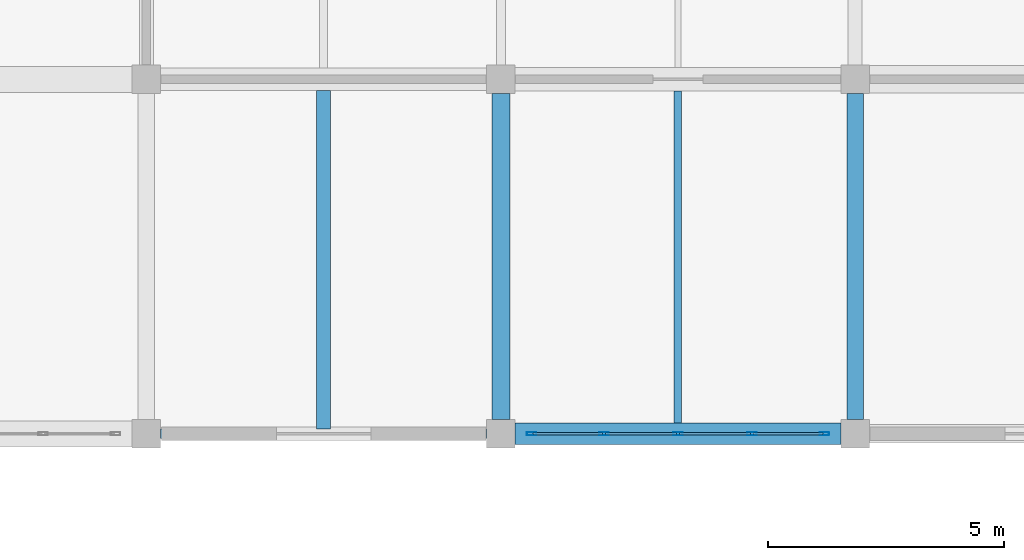
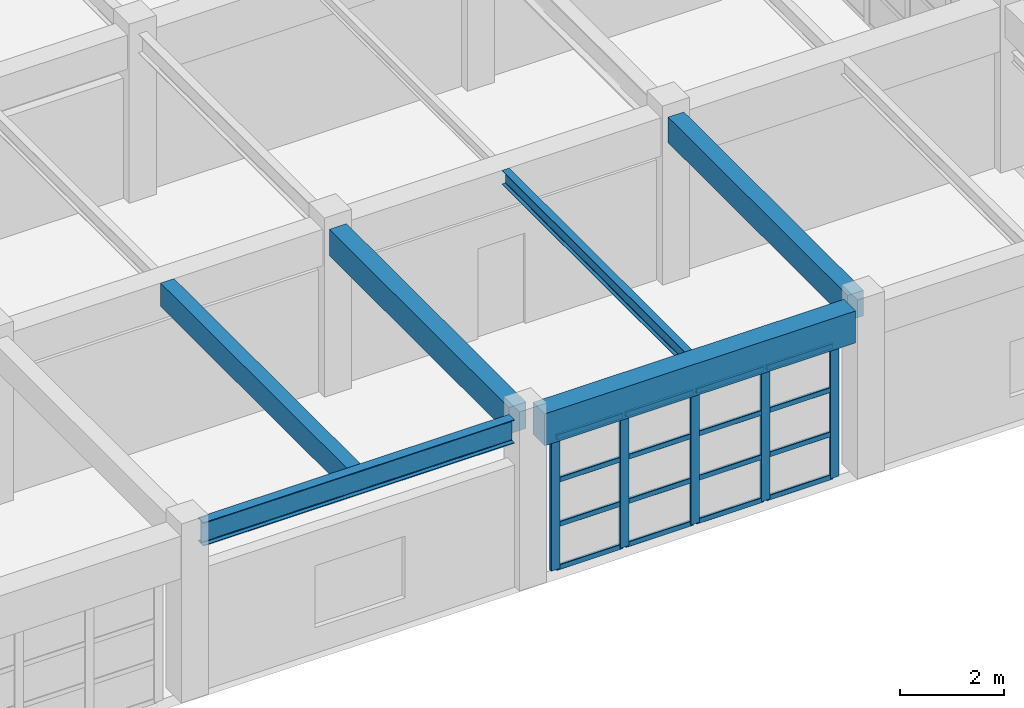
# One storey, part 42 of 124: 21 members, 6 beams, 1 element without a shape of its own.
"""IFC4 building model written with IfcOpenShell, lengths in metres."""

from ifc_helpers import new_model, si_unit, direction, frame, origin, origin_2d, place, context, subcontext, project, spatial, rectangle, hollow_rectangle, i_section, extrude, material, material_profile, profile_set, type_object, element, aggregate, save


model = new_model("IFC4")

# Units and contexts
model_context = context("Model", 3, precision=1e-05, world=origin(), true_north=direction((0.0, 1.0)))
body_context = subcontext(model_context, "Body", "Model", "MODEL_VIEW")
ifc_project = project(units=[si_unit("LENGTHUNIT", "METRE"), si_unit("AREAUNIT", "SQUARE_METRE"), si_unit("VOLUMEUNIT", "CUBIC_METRE"), si_unit("PLANEANGLEUNIT", "RADIAN"), si_unit("MASSUNIT", "GRAM", prefix="KILO")], contexts=[model_context])

# Site, building, storey
site_placement = place(None, origin())
site = spatial("IfcSite", under=ifc_project, at=site_placement, CompositionType="ELEMENT")
building_placement = place(site_placement, origin())
building = spatial("IfcBuilding", under=site, at=building_placement, Name="Qasida Concert Hall", CompositionType="ELEMENT")
storey_placement = place(building_placement, frame((0.0, 0.0, 9.0)))
storey = spatial("IfcBuildingStorey", under=building, at=storey_placement, Name="L02", CompositionType="ELEMENT", Elevation=9.0)

# Beams
ifc_material_1 = material(Name="Concrete C40/50", Category="concrete")
ifc_material_profile_1 = material_profile(ifc_material_1, rectangle(XDim=0.3798828125, YDim=0.6201171875, at=origin_2d()), Name="RC 380x620")
ifc_profile_set_1 = profile_set([ifc_material_profile_1], Name="Concrete C40/50")
beam_type_1 = type_object("IfcBeamType", Name="BM-B10", PredefinedType="BEAM", material=ifc_profile_set_1)
beam_1_placement = place(storey_placement, frame((22.5, 75.300048828125, 3.590087890625), z_axis=(0.0, 1.0, 0.0), x_axis=(-1.0, 0.0, 0.0)))
element("IfcBeam", 1, at=beam_1_placement, inside=storey, type_object=beam_type_1, Name="L02 girder 1472", PredefinedType="BEAM", context=body_context, shape_type="SweptSolid", body=[
    extrude(rectangle(XDim=0.3798828125, YDim=0.6201171875, at=origin_2d()), origin(), (0.0, 0.0, 1.0), 6.89990234375),
])
ifc_material_profile_2 = material_profile(ifc_material_1, rectangle(XDim=0.35009765625, YDim=0.60009765625, at=origin_2d()), Name="RC 350x600")
ifc_profile_set_2 = profile_set([ifc_material_profile_2], Name="Concrete C40/50")
beam_type_2 = type_object("IfcBeamType", Name="BM-B2", PredefinedType="BEAM", material=ifc_profile_set_2)
beam_2_placement = place(storey_placement, frame((30.0, 75.300048828125, 3.60009765625), z_axis=(0.0, 1.0, 0.0), x_axis=(-1.0, 0.0, 0.0)))
element("IfcBeam", 2, at=beam_2_placement, inside=storey, type_object=beam_type_2, Name="L02 girder 1477", PredefinedType="BEAM", context=body_context, shape_type="SweptSolid", body=[
    extrude(rectangle(XDim=0.35009765625, YDim=0.60009765625, at=origin_2d()), origin(), (0.0, 0.0, 1.0), 6.89990234375),
])
ifc_material_profile_3 = material_profile(ifc_material_1, rectangle(XDim=0.300048828125, YDim=0.550048828125, at=origin_2d()), Name="RC 300x550")
ifc_profile_set_3 = profile_set([ifc_material_profile_3], Name="Concrete C40/50")
beam_type_3 = type_object("IfcBeamType", Name="BM-J1", PredefinedType="JOIST", material=ifc_profile_set_3)
beam_3_placement = place(storey_placement, frame((18.75, 75.10498046875, 3.625), z_axis=(0.0, 1.0, 0.0), x_axis=(-1.0, 0.0, 0.0)))
element("IfcBeam", 3, at=beam_3_placement, inside=storey, type_object=beam_type_3, Name="L02 secondary joist 1496", PredefinedType="JOIST", context=body_context, shape_type="SweptSolid", body=[
    extrude(rectangle(XDim=0.300048828125, YDim=0.550048828125, at=origin_2d()), origin(), (0.0, 0.0, 1.0), 7.155029296875),
])
ifc_material_2 = material(Name="Steel S355J2", Category="steel")
ifc_material_profile_4 = material_profile(ifc_material_2, i_section(OverallWidth=0.159912109375, OverallDepth=0.330078125, WebThickness=0.007568359375, FlangeThickness=0.011474609375, FilletRadius=0.01806640625, at=origin_2d()), Name="IPE 330")
ifc_profile_set_4 = profile_set([ifc_material_profile_4], Name="Steel S355J2")
beam_type_4 = type_object("IfcBeamType", Name="BM-J5", PredefinedType="JOIST", material=ifc_profile_set_4)
beam_4_placement = place(storey_placement, frame((26.25, 75.22509765625, 3.735107421875), z_axis=(0.0, 1.0, 0.0), x_axis=(-1.0, 0.0, 0.0)))
element("IfcBeam", 4, at=beam_4_placement, inside=storey, type_object=beam_type_4, Name="L02 secondary joist 1500", PredefinedType="JOIST", context=body_context, shape_type="SweptSolid", body=[
    extrude(i_section(OverallWidth=0.159912109375, OverallDepth=0.330078125, WebThickness=0.007568359375, FlangeThickness=0.011474609375, FilletRadius=0.01806640625, at=origin_2d()), origin(), (0.0, 0.0, 1.0), 7.02490234375),
])
ifc_material_profile_5 = material_profile(ifc_material_2, i_section(OverallWidth=0.2099609375, OverallDepth=0.550048828125, WebThickness=0.010986328125, FlangeThickness=0.01708984375, FilletRadius=0.02392578125, at=origin_2d()), Name="IPE 550")
ifc_profile_set_5 = profile_set([ifc_material_profile_5], Name="Steel S355J2")
beam_type_5 = type_object("IfcBeamType", Name="BM-SP2", PredefinedType="SPANDREL", material=ifc_profile_set_5)
beam_5_placement = place(storey_placement, frame((15.300048828125, 75.0, 3.625), z_axis=(1.0, 0.0, 0.0), x_axis=(0.0, 1.0, 0.0)))
element("IfcBeam", 5, at=beam_5_placement, inside=storey, type_object=beam_type_5, Name="Primary girder 1439", PredefinedType="SPANDREL", context=body_context, shape_type="SweptSolid", body=[
    extrude(i_section(OverallWidth=0.2099609375, OverallDepth=0.550048828125, WebThickness=0.010986328125, FlangeThickness=0.01708984375, FilletRadius=0.02392578125, at=origin_2d()), origin(), (0.0, 0.0, 1.0), 6.89990234375),
])
ifc_material_profile_6 = material_profile(ifc_material_1, rectangle(XDim=0.449951171875, YDim=0.75, at=origin_2d()), Name="RC 450x750")
ifc_profile_set_6 = profile_set([ifc_material_profile_6], Name="Concrete C40/50")
beam_type_6 = type_object("IfcBeamType", Name="BM-SP4", PredefinedType="SPANDREL", material=ifc_profile_set_6)
beam_6_placement = place(storey_placement, frame((22.800048828125, 75.0, 3.52490234375), z_axis=(1.0, 0.0, 0.0), x_axis=(0.0, 1.0, 0.0)))
element("IfcBeam", 6, at=beam_6_placement, inside=storey, type_object=beam_type_6, Name="Primary girder 1440", PredefinedType="SPANDREL", context=body_context, shape_type="SweptSolid", body=[
    extrude(rectangle(XDim=0.449951171875, YDim=0.75, at=origin_2d()), origin(), (0.0, 0.0, 1.0), 6.89990234375),
])

# Curtain wall, members
ifc_material_3 = material(Name="Architectural bronze-anodized aluminium and low-E glass", Category="aluminium")
curtain_wall_type = type_object("IfcCurtainWallType", Name="CW-08", PredefinedType="NOTDEFINED", material=ifc_material_3)
curtain_wall_placement = place(storey_placement, origin())
curtain_wall = element("IfcCurtainWall", 7, at=curtain_wall_placement, inside=storey, type_object=curtain_wall_type, Name="L02 curtain wall CW-08 0189", PredefinedType="NOTDEFINED")
ifc_material_4 = material(Name="Architectural bronze-anodized aluminium EN AW-6063", Category="aluminium")
ifc_material_profile_7 = material_profile(ifc_material_4, hollow_rectangle(XDim=0.06494140625, YDim=0.199951171875, WallThickness=0.0048828125, InnerFilletRadius=0.0048828125, OuterFilletRadius=0.010009765625, at=origin_2d()), Name="CWM 200x65x5")
ifc_profile_set_7 = profile_set([ifc_material_profile_7], Name="Architectural bronze-anodized aluminium EN AW-6063")
member_type_1 = type_object("IfcMemberType", Name="MB-CWM-2", PredefinedType="MULLION", material=ifc_profile_set_7)
member_1_placement = place(storey_placement, frame((23.152587890625, 75.0, 0.0), z_axis=(0.0, 0.0, 1.0), x_axis=(0.0, 1.0, 0.0)))
member_1 = element("IfcMember", 8, at=member_1_placement, type_object=member_type_1, Name="CW-08 mullion 1", PredefinedType="MULLION", context=body_context, shape_type="SweptSolid", body=[
    extrude(hollow_rectangle(XDim=0.06494140625, YDim=0.199951171875, WallThickness=0.0048828125, InnerFilletRadius=0.0048828125, OuterFilletRadius=0.010009765625, at=origin_2d()), origin(), (0.0, 0.0, 1.0), 3.1201171875),
])
member_2_placement = place(storey_placement, frame((24.68505859375, 75.0, 0.0), z_axis=(0.0, 0.0, 1.0), x_axis=(0.0, 1.0, 0.0)))
member_2 = element("IfcMember", 9, at=member_2_placement, type_object=member_type_1, Name="CW-08 mullion 2", PredefinedType="MULLION", context=body_context, shape_type="SweptSolid", body=[
    extrude(hollow_rectangle(XDim=0.06494140625, YDim=0.199951171875, WallThickness=0.0048828125, InnerFilletRadius=0.0048828125, OuterFilletRadius=0.010009765625, at=origin_2d()), origin(), (0.0, 0.0, 1.0), 3.1201171875),
])
member_3_placement = place(storey_placement, frame((26.25, 75.0, 0.0), z_axis=(0.0, 0.0, 1.0), x_axis=(0.0, 1.0, 0.0)))
member_3 = element("IfcMember", 10, at=member_3_placement, type_object=member_type_1, Name="CW-08 mullion 3", PredefinedType="MULLION", context=body_context, shape_type="SweptSolid", body=[
    extrude(hollow_rectangle(XDim=0.06494140625, YDim=0.199951171875, WallThickness=0.0048828125, InnerFilletRadius=0.0048828125, OuterFilletRadius=0.010009765625, at=origin_2d()), origin(), (0.0, 0.0, 1.0), 3.1201171875),
])
member_4_placement = place(storey_placement, frame((27.81494140625, 75.0, 0.0), z_axis=(0.0, 0.0, 1.0), x_axis=(0.0, 1.0, 0.0)))
member_4 = element("IfcMember", 11, at=member_4_placement, type_object=member_type_1, Name="CW-08 mullion 4", PredefinedType="MULLION", context=body_context, shape_type="SweptSolid", body=[
    extrude(hollow_rectangle(XDim=0.06494140625, YDim=0.199951171875, WallThickness=0.0048828125, InnerFilletRadius=0.0048828125, OuterFilletRadius=0.010009765625, at=origin_2d()), origin(), (0.0, 0.0, 1.0), 3.1201171875),
])
member_5_placement = place(storey_placement, frame((29.347412109375, 75.0, 0.0), z_axis=(0.0, 0.0, 1.0), x_axis=(0.0, 1.0, 0.0)))
member_5 = element("IfcMember", 12, at=member_5_placement, type_object=member_type_1, Name="CW-08 mullion 5", PredefinedType="MULLION", context=body_context, shape_type="SweptSolid", body=[
    extrude(hollow_rectangle(XDim=0.06494140625, YDim=0.199951171875, WallThickness=0.0048828125, InnerFilletRadius=0.0048828125, OuterFilletRadius=0.010009765625, at=origin_2d()), origin(), (0.0, 0.0, 1.0), 3.1201171875),
])
ifc_material_profile_8 = material_profile(ifc_material_4, hollow_rectangle(XDim=0.06005859375, YDim=0.1201171875, WallThickness=0.00390625, InnerFilletRadius=0.00390625, OuterFilletRadius=0.008056640625, at=origin_2d()), Name="CWT 120x60x4")
ifc_profile_set_8 = profile_set([ifc_material_profile_8], Name="Architectural bronze-anodized aluminium EN AW-6063")
member_type_2 = type_object("IfcMemberType", Name="MB-CWT-2", PredefinedType="USERDEFINED", material=ifc_profile_set_8)
member_6_placement = place(storey_placement, frame((23.18505859375, 75.0, 0.030029296875), z_axis=(1.0, 0.0, 0.0), x_axis=(0.0, 1.0, 0.0)))
member_6 = element("IfcMember", 13, at=member_6_placement, type_object=member_type_2, Name="CW-08 transom 1.1", ObjectType="TRANSOM", PredefinedType="USERDEFINED", context=body_context, shape_type="SweptSolid", body=[
    extrude(hollow_rectangle(XDim=0.06005859375, YDim=0.1201171875, WallThickness=0.00390625, InnerFilletRadius=0.00390625, OuterFilletRadius=0.008056640625, at=origin_2d()), origin(), (0.0, 0.0, 1.0), 1.467529296875),
])
member_7_placement = place(storey_placement, frame((23.18505859375, 75.0, 1.0400390625), z_axis=(1.0, 0.0, 0.0), x_axis=(0.0, 1.0, 0.0)))
member_7 = element("IfcMember", 14, at=member_7_placement, type_object=member_type_2, Name="CW-08 transom 1.2", ObjectType="TRANSOM", PredefinedType="USERDEFINED", context=body_context, shape_type="SweptSolid", body=[
    extrude(hollow_rectangle(XDim=0.06005859375, YDim=0.1201171875, WallThickness=0.00390625, InnerFilletRadius=0.00390625, OuterFilletRadius=0.008056640625, at=origin_2d()), origin(), (0.0, 0.0, 1.0), 1.467529296875),
])
member_8_placement = place(storey_placement, frame((23.18505859375, 75.0, 2.080078125), z_axis=(1.0, 0.0, 0.0), x_axis=(0.0, 1.0, 0.0)))
member_8 = element("IfcMember", 15, at=member_8_placement, type_object=member_type_2, Name="CW-08 transom 1.3", ObjectType="TRANSOM", PredefinedType="USERDEFINED", context=body_context, shape_type="SweptSolid", body=[
    extrude(hollow_rectangle(XDim=0.06005859375, YDim=0.1201171875, WallThickness=0.00390625, InnerFilletRadius=0.00390625, OuterFilletRadius=0.008056640625, at=origin_2d()), origin(), (0.0, 0.0, 1.0), 1.467529296875),
])
member_9_placement = place(storey_placement, frame((23.18505859375, 75.0, 3.090087890625), z_axis=(1.0, 0.0, 0.0), x_axis=(0.0, 1.0, 0.0)))
member_9 = element("IfcMember", 16, at=member_9_placement, type_object=member_type_2, Name="CW-08 transom 1.4", ObjectType="TRANSOM", PredefinedType="USERDEFINED", context=body_context, shape_type="SweptSolid", body=[
    extrude(hollow_rectangle(XDim=0.06005859375, YDim=0.1201171875, WallThickness=0.00390625, InnerFilletRadius=0.00390625, OuterFilletRadius=0.008056640625, at=origin_2d()), origin(), (0.0, 0.0, 1.0), 1.467529296875),
])
member_10_placement = place(storey_placement, frame((24.717529296875, 75.0, 0.030029296875), z_axis=(1.0, 0.0, 0.0), x_axis=(0.0, 1.0, 0.0)))
member_10 = element("IfcMember", 17, at=member_10_placement, type_object=member_type_2, Name="CW-08 transom 2.1", ObjectType="TRANSOM", PredefinedType="USERDEFINED", context=body_context, shape_type="SweptSolid", body=[
    extrude(hollow_rectangle(XDim=0.06005859375, YDim=0.1201171875, WallThickness=0.00390625, InnerFilletRadius=0.00390625, OuterFilletRadius=0.008056640625, at=origin_2d()), origin(), (0.0, 0.0, 1.0), 1.5),
])
member_11_placement = place(storey_placement, frame((24.717529296875, 75.0, 1.0400390625), z_axis=(1.0, 0.0, 0.0), x_axis=(0.0, 1.0, 0.0)))
member_11 = element("IfcMember", 18, at=member_11_placement, type_object=member_type_2, Name="CW-08 transom 2.2", ObjectType="TRANSOM", PredefinedType="USERDEFINED", context=body_context, shape_type="SweptSolid", body=[
    extrude(hollow_rectangle(XDim=0.06005859375, YDim=0.1201171875, WallThickness=0.00390625, InnerFilletRadius=0.00390625, OuterFilletRadius=0.008056640625, at=origin_2d()), origin(), (0.0, 0.0, 1.0), 1.5),
])
member_12_placement = place(storey_placement, frame((24.717529296875, 75.0, 2.080078125), z_axis=(1.0, 0.0, 0.0), x_axis=(0.0, 1.0, 0.0)))
member_12 = element("IfcMember", 19, at=member_12_placement, type_object=member_type_2, Name="CW-08 transom 2.3", ObjectType="TRANSOM", PredefinedType="USERDEFINED", context=body_context, shape_type="SweptSolid", body=[
    extrude(hollow_rectangle(XDim=0.06005859375, YDim=0.1201171875, WallThickness=0.00390625, InnerFilletRadius=0.00390625, OuterFilletRadius=0.008056640625, at=origin_2d()), origin(), (0.0, 0.0, 1.0), 1.5),
])
member_13_placement = place(storey_placement, frame((24.717529296875, 75.0, 3.090087890625), z_axis=(1.0, 0.0, 0.0), x_axis=(0.0, 1.0, 0.0)))
member_13 = element("IfcMember", 20, at=member_13_placement, type_object=member_type_2, Name="CW-08 transom 2.4", ObjectType="TRANSOM", PredefinedType="USERDEFINED", context=body_context, shape_type="SweptSolid", body=[
    extrude(hollow_rectangle(XDim=0.06005859375, YDim=0.1201171875, WallThickness=0.00390625, InnerFilletRadius=0.00390625, OuterFilletRadius=0.008056640625, at=origin_2d()), origin(), (0.0, 0.0, 1.0), 1.5),
])
member_14_placement = place(storey_placement, frame((26.282470703125, 75.0, 0.030029296875), z_axis=(1.0, 0.0, 0.0), x_axis=(0.0, 1.0, 0.0)))
member_14 = element("IfcMember", 21, at=member_14_placement, type_object=member_type_2, Name="CW-08 transom 3.1", ObjectType="TRANSOM", PredefinedType="USERDEFINED", context=body_context, shape_type="SweptSolid", body=[
    extrude(hollow_rectangle(XDim=0.06005859375, YDim=0.1201171875, WallThickness=0.00390625, InnerFilletRadius=0.00390625, OuterFilletRadius=0.008056640625, at=origin_2d()), origin(), (0.0, 0.0, 1.0), 1.5),
])
member_15_placement = place(storey_placement, frame((26.282470703125, 75.0, 1.0400390625), z_axis=(1.0, 0.0, 0.0), x_axis=(0.0, 1.0, 0.0)))
member_15 = element("IfcMember", 22, at=member_15_placement, type_object=member_type_2, Name="CW-08 transom 3.2", ObjectType="TRANSOM", PredefinedType="USERDEFINED", context=body_context, shape_type="SweptSolid", body=[
    extrude(hollow_rectangle(XDim=0.06005859375, YDim=0.1201171875, WallThickness=0.00390625, InnerFilletRadius=0.00390625, OuterFilletRadius=0.008056640625, at=origin_2d()), origin(), (0.0, 0.0, 1.0), 1.5),
])
member_16_placement = place(storey_placement, frame((26.282470703125, 75.0, 2.080078125), z_axis=(1.0, 0.0, 0.0), x_axis=(0.0, 1.0, 0.0)))
member_16 = element("IfcMember", 23, at=member_16_placement, type_object=member_type_2, Name="CW-08 transom 3.3", ObjectType="TRANSOM", PredefinedType="USERDEFINED", context=body_context, shape_type="SweptSolid", body=[
    extrude(hollow_rectangle(XDim=0.06005859375, YDim=0.1201171875, WallThickness=0.00390625, InnerFilletRadius=0.00390625, OuterFilletRadius=0.008056640625, at=origin_2d()), origin(), (0.0, 0.0, 1.0), 1.5),
])
member_17_placement = place(storey_placement, frame((26.282470703125, 75.0, 3.090087890625), z_axis=(1.0, 0.0, 0.0), x_axis=(0.0, 1.0, 0.0)))
member_17 = element("IfcMember", 24, at=member_17_placement, type_object=member_type_2, Name="CW-08 transom 3.4", ObjectType="TRANSOM", PredefinedType="USERDEFINED", context=body_context, shape_type="SweptSolid", body=[
    extrude(hollow_rectangle(XDim=0.06005859375, YDim=0.1201171875, WallThickness=0.00390625, InnerFilletRadius=0.00390625, OuterFilletRadius=0.008056640625, at=origin_2d()), origin(), (0.0, 0.0, 1.0), 1.5),
])
member_18_placement = place(storey_placement, frame((27.847412109375, 75.0, 0.030029296875), z_axis=(1.0, 0.0, 0.0), x_axis=(0.0, 1.0, 0.0)))
member_18 = element("IfcMember", 25, at=member_18_placement, type_object=member_type_2, Name="CW-08 transom 4.1", ObjectType="TRANSOM", PredefinedType="USERDEFINED", context=body_context, shape_type="SweptSolid", body=[
    extrude(hollow_rectangle(XDim=0.06005859375, YDim=0.1201171875, WallThickness=0.00390625, InnerFilletRadius=0.00390625, OuterFilletRadius=0.008056640625, at=origin_2d()), origin(), (0.0, 0.0, 1.0), 1.467529296875),
])
member_19_placement = place(storey_placement, frame((27.847412109375, 75.0, 1.0400390625), z_axis=(1.0, 0.0, 0.0), x_axis=(0.0, 1.0, 0.0)))
member_19 = element("IfcMember", 26, at=member_19_placement, type_object=member_type_2, Name="CW-08 transom 4.2", ObjectType="TRANSOM", PredefinedType="USERDEFINED", context=body_context, shape_type="SweptSolid", body=[
    extrude(hollow_rectangle(XDim=0.06005859375, YDim=0.1201171875, WallThickness=0.00390625, InnerFilletRadius=0.00390625, OuterFilletRadius=0.008056640625, at=origin_2d()), origin(), (0.0, 0.0, 1.0), 1.467529296875),
])
member_20_placement = place(storey_placement, frame((27.847412109375, 75.0, 2.080078125), z_axis=(1.0, 0.0, 0.0), x_axis=(0.0, 1.0, 0.0)))
member_20 = element("IfcMember", 27, at=member_20_placement, type_object=member_type_2, Name="CW-08 transom 4.3", ObjectType="TRANSOM", PredefinedType="USERDEFINED", context=body_context, shape_type="SweptSolid", body=[
    extrude(hollow_rectangle(XDim=0.06005859375, YDim=0.1201171875, WallThickness=0.00390625, InnerFilletRadius=0.00390625, OuterFilletRadius=0.008056640625, at=origin_2d()), origin(), (0.0, 0.0, 1.0), 1.467529296875),
])
member_21_placement = place(storey_placement, frame((27.847412109375, 75.0, 3.090087890625), z_axis=(1.0, 0.0, 0.0), x_axis=(0.0, 1.0, 0.0)))
member_21 = element("IfcMember", 28, at=member_21_placement, type_object=member_type_2, Name="CW-08 transom 4.4", ObjectType="TRANSOM", PredefinedType="USERDEFINED", context=body_context, shape_type="SweptSolid", body=[
    extrude(hollow_rectangle(XDim=0.06005859375, YDim=0.1201171875, WallThickness=0.00390625, InnerFilletRadius=0.00390625, OuterFilletRadius=0.008056640625, at=origin_2d()), origin(), (0.0, 0.0, 1.0), 1.467529296875),
])
aggregate(curtain_wall, [member_1, member_2, member_3, member_4, member_5, member_6, member_7, member_8, member_9, member_10, member_11, member_12, member_13, member_14, member_15, member_16, member_17, member_18, member_19, member_20, member_21])

save(model, "model.ifc")
